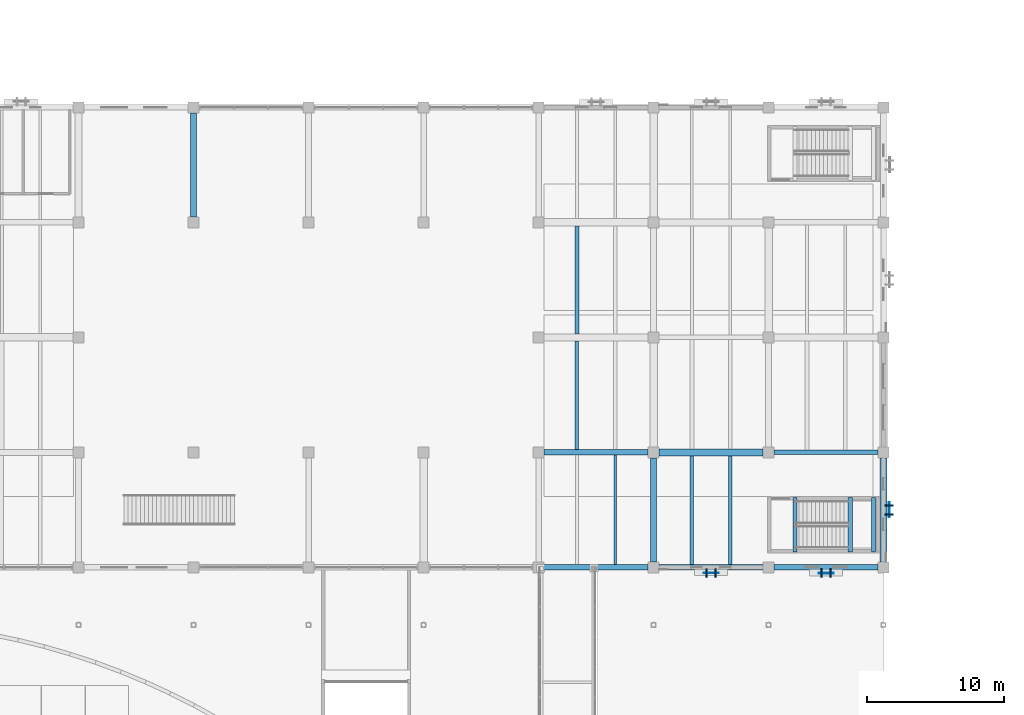
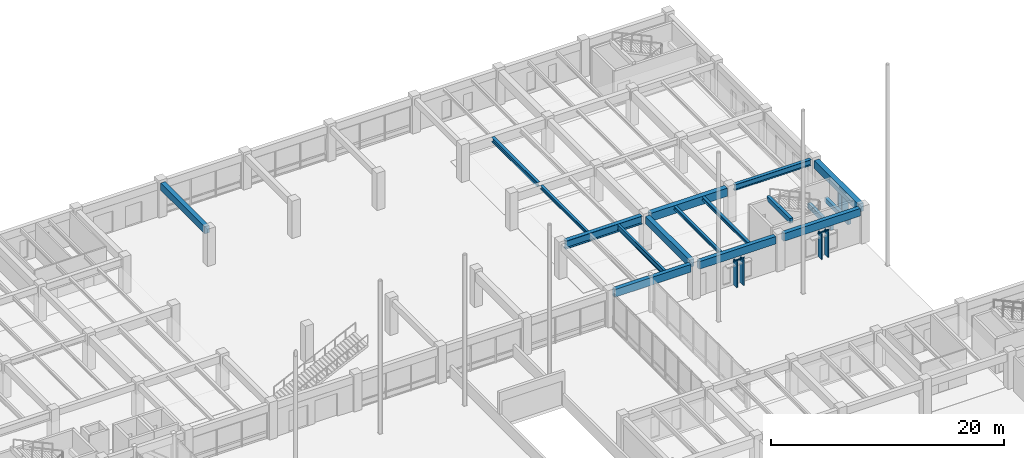
# One storey, part 61 of 135: 17 beams, 9 members, 3 elements without a shape of their own.
"""IFC4 building model written with IfcOpenShell, lengths in metres."""

from ifc_helpers import new_model, si_unit, direction, frame, origin, origin_2d, place, context, subcontext, project, spatial, rectangle, i_section, extrude, material, material_profile, profile_set, type_object, element, aggregate, save


model = new_model("IFC4")

# Units and contexts
model_context = context("Model", 3, precision=1e-05, world=origin(), true_north=direction((0.0, 1.0)))
body_context = subcontext(model_context, "Body", "Model", "MODEL_VIEW")
ifc_project = project(units=[si_unit("LENGTHUNIT", "METRE"), si_unit("AREAUNIT", "SQUARE_METRE"), si_unit("VOLUMEUNIT", "CUBIC_METRE"), si_unit("PLANEANGLEUNIT", "RADIAN"), si_unit("MASSUNIT", "GRAM", prefix="KILO")], contexts=[model_context])

# Site, building, storey
site_placement = place(None, origin())
site = spatial("IfcSite", under=ifc_project, at=site_placement, CompositionType="ELEMENT")
building_placement = place(site_placement, origin())
building = spatial("IfcBuilding", under=site, at=building_placement, Name="Cumbredor Promenade Congress Hotel", CompositionType="ELEMENT")
storey_placement = place(building_placement, origin())
storey = spatial("IfcBuildingStorey", under=building, at=storey_placement, Name="L00", CompositionType="ELEMENT", Elevation=0.0)

# Beams
ifc_material_1 = material(Name="Concrete C40/50", Category="concrete")
ifc_material_profile_1 = material_profile(ifc_material_1, rectangle(XDim=0.449951171875, YDim=0.75, at=origin_2d()), Name="RC BEAM 450x750")
ifc_profile_set_1 = profile_set([ifc_material_profile_1], Name="Concrete C40/50")
beam_type_1 = type_object("IfcBeamType", Name="BM-RC-450x750", PredefinedType="BEAM", material=ifc_profile_set_1)
beam_1_placement = place(storey_placement, frame((126.0, 109.60009765625, 3.264892578125), z_axis=(0.0, 1.0, 0.0), x_axis=(-1.0, 0.0, 0.0)))
element("IfcBeam", 1, at=beam_1_placement, inside=storey, type_object=beam_type_1, Name="L01 Y-Grid Beam 207", PredefinedType="BEAM", context=body_context, shape_type="SweptSolid", body=[
    extrude(rectangle(XDim=0.449951171875, YDim=0.75, at=origin_2d()), origin(), (0.0, 0.0, 1.0), 7.599853515625),
])
beam_2_placement = place(storey_placement, frame((159.60009765625, 84.39990234375, 3.264892578125), z_axis=(0.0, 1.0, 0.0), x_axis=(-1.0, 0.0, 0.0)))
element("IfcBeam", 2, at=beam_2_placement, inside=storey, type_object=beam_type_1, Name="L01 Y-Grid Beam 247", PredefinedType="BEAM", context=body_context, shape_type="SweptSolid", body=[
    extrude(rectangle(XDim=0.449951171875, YDim=0.75, at=origin_2d()), origin(), (0.0, 0.0, 1.0), 7.60009765625),
])
ifc_material_profile_2 = material_profile(ifc_material_1, rectangle(XDim=0.5, YDim=0.85009765625, at=origin_2d()), Name="RC BEAM 500x850")
ifc_profile_set_2 = profile_set([ifc_material_profile_2], Name="Concrete C40/50")
beam_type_2 = type_object("IfcBeamType", Name="BM-RC-500x850", PredefinedType="BEAM", material=ifc_profile_set_2)
for number, where, z_axis, x_axis, name in (
    (3, (160.0, 92.39990234375, 3.215087890625), (1.0, 0.0, 0.0), (0.0, 1.0, 0.0), "L01 X-Grid Beam 248"),
    (4, (176.39990234375, 84.39990234375, 3.215087890625), (0.0, 1.0, 0.0), (-1.0, 0.0, 0.0), "L01 Y-Grid Beam 272"),
):
    element("IfcBeam", number, at=place(storey_placement, frame(where, z_axis=z_axis, x_axis=x_axis)), inside=storey, type_object=beam_type_2, Name=name, PredefinedType="BEAM", context=body_context, shape_type="SweptSolid", body=[
        extrude(rectangle(XDim=0.5, YDim=0.85009765625, at=origin_2d()), origin(), (0.0, 0.0, 1.0), 7.60009765625),
    ])
ifc_material_2 = material(Name="Steel ASTM A992 Grade 50", Category="steel")
ifc_material_profile_3 = material_profile(ifc_material_2, i_section(OverallWidth=0.323974609375, OverallDepth=0.611083984375, WebThickness=0.0126953125, FlangeThickness=0.01904296875, at=origin_2d()), Name="W24X104")
ifc_profile_set_3 = profile_set([ifc_material_profile_3], Name="Steel ASTM A992 Grade 50")
beam_type_3 = type_object("IfcBeamType", Name="BM-W24X104", PredefinedType="BEAM", material=ifc_profile_set_3)
beam_3_placement = place(storey_placement, frame((168.39990234375, 92.39990234375, 3.33447265625), z_axis=(1.0, 0.0, 0.0), x_axis=(0.0, 1.0, 0.0)))
element("IfcBeam", 5, at=beam_3_placement, inside=storey, type_object=beam_type_3, Name="L01 X-Grid Beam 262", PredefinedType="BEAM", context=body_context, shape_type="SweptSolid", body=[
    extrude(i_section(OverallWidth=0.323974609375, OverallDepth=0.611083984375, WebThickness=0.0126953125, FlangeThickness=0.01904296875, at=origin_2d()), origin(), (0.0, 0.0, 1.0), 7.60009765625),
])
ifc_material_profile_4 = material_profile(ifc_material_2, i_section(OverallWidth=0.39990234375, OverallDepth=0.85498046875, WebThickness=0.018310546875, FlangeThickness=0.029296875, at=origin_2d()), Name="W33X201")
ifc_profile_set_4 = profile_set([ifc_material_profile_4], Name="Steel ASTM A992 Grade 50")
beam_type_4 = type_object("IfcBeamType", Name="BM-W33X201", PredefinedType="BEAM", material=ifc_profile_set_4)
beam_4_placement = place(storey_placement, frame((151.60009765625, 92.39990234375, 3.21240234375), z_axis=(1.0, 0.0, 0.0), x_axis=(0.0, 1.0, 0.0)))
element("IfcBeam", 6, at=beam_4_placement, inside=storey, type_object=beam_type_4, Name="L01 X-Grid Beam 235", PredefinedType="BEAM", context=body_context, shape_type="SweptSolid", body=[
    extrude(i_section(OverallWidth=0.39990234375, OverallDepth=0.85498046875, WebThickness=0.018310546875, FlangeThickness=0.029296875, at=origin_2d()), origin(), (0.0, 0.0, 1.0), 7.599853515625),
])

# Curtain wall, member
ifc_material_3 = material(Name="Thermally broken anodized aluminium and low-E glass", Category="aluminium")
curtain_wall_type = type_object("IfcCurtainWallType", Name="Solar Brise-Soleil Screen Assembly CW-07", PredefinedType="NOTDEFINED", material=ifc_material_3)
curtain_wall_1_placement = place(storey_placement, origin())
curtain_wall_1 = element("IfcCurtainWall", 7, at=curtain_wall_1_placement, inside=storey, type_object=curtain_wall_type, Name="L00 Pier Brise-Soleil Screen 0058", PredefinedType="NOTDEFINED")
ifc_material_4 = material(Name="Thermally broken anodized aluminium", Category="aluminium")
ifc_material_profile_5 = material_profile(ifc_material_4, rectangle(XDim=0.06494140625, YDim=0.1298828125, at=origin_2d()), Name="ALU TRANSOM 65x130")
ifc_profile_set_5 = profile_set([ifc_material_profile_5], Name="Thermally broken anodized aluminium")
member_type_1 = type_object("IfcMemberType", Name="Curtain Wall Transom TR-01", PredefinedType="USERDEFINED", material=ifc_profile_set_5)
member_1_placement = place(storey_placement, frame((163.25, 83.590087890625, 2.6650390625), z_axis=(1.0, 0.0, 0.0), x_axis=(0.0, 1.0, 0.0)))
member_1 = element("IfcMember", 8, at=member_1_placement, type_object=member_type_1, Name="L00 Pier Brise-Soleil Header 0060", ObjectType="TRANSOM", PredefinedType="USERDEFINED", context=body_context, shape_type="SweptSolid", body=[
    extrude(rectangle(XDim=0.06494140625, YDim=0.1298828125, at=origin_2d()), origin(), (0.0, 0.0, 1.0), 1.10009765625),
])

curtain_wall_2_placement = place(storey_placement, origin())
curtain_wall_2 = element("IfcCurtainWall", 9, at=curtain_wall_2_placement, inside=storey, type_object=curtain_wall_type, Name="L00 Pier Brise-Soleil Screen 0061", PredefinedType="NOTDEFINED")
member_2_placement = place(storey_placement, frame((171.64990234375, 83.577392578125, 2.6650390625), z_axis=(1.0, 0.0, 0.0), x_axis=(0.0, 1.0, 0.0)))
member_2 = element("IfcMember", 10, at=member_2_placement, type_object=member_type_1, Name="L00 Pier Brise-Soleil Header 0063", ObjectType="TRANSOM", PredefinedType="USERDEFINED", context=body_context, shape_type="SweptSolid", body=[
    extrude(rectangle(XDim=0.06494140625, YDim=0.1298828125, at=origin_2d()), origin(), (0.0, 0.0, 1.0), 1.10009765625),
])

curtain_wall_3_placement = place(storey_placement, origin())
curtain_wall_3 = element("IfcCurtainWall", 11, at=curtain_wall_3_placement, inside=storey, type_object=curtain_wall_type, Name="L00 Pier Brise-Soleil Screen 0085", PredefinedType="NOTDEFINED")
member_3_placement = place(storey_placement, frame((176.81005859375, 87.64990234375, 2.614990234375), z_axis=(0.0, 1.0, 0.0), x_axis=(-1.0, 0.0, 0.0)))
member_3 = element("IfcMember", 12, at=member_3_placement, type_object=member_type_1, Name="L00 Pier Brise-Soleil Header 0087", ObjectType="TRANSOM", PredefinedType="USERDEFINED", context=body_context, shape_type="SweptSolid", body=[
    extrude(rectangle(XDim=0.06494140625, YDim=0.1298828125, at=origin_2d()), origin(), (0.0, 0.0, 1.0), 1.10009765625),
])

# Beams
ifc_material_profile_6 = material_profile(ifc_material_2, i_section(OverallWidth=0.2548828125, OverallDepth=0.35693359375, WebThickness=0.010498046875, FlangeThickness=0.018310546875, at=origin_2d()), Name="W14X68")
ifc_profile_set_6 = profile_set([ifc_material_profile_6], Name="Steel ASTM A992 Grade 50")
beam_type_5 = type_object("IfcBeamType", Name="JST-W14X68", PredefinedType="JOIST", material=ifc_profile_set_6)
for number, where, z_axis, x_axis, name in (
    (13, (154.0, 92.60009765625, 3.46142578125), (0.0, 1.0, 0.0), (-1.0, 0.0, 0.0), "L01 Secondary Floor Joist 0129"),
    (14, (162.39990234375, 84.199951171875, 3.46142578125), (0.0, 1.0, 0.0), (-1.0, 0.0, 0.0), "L01 Secondary Floor Joist 0139"),
    (15, (165.199951171875, 84.199951171875, 3.46142578125), (0.0, 1.0, 0.0), (-1.0, 0.0, 0.0), "L01 Secondary Floor Joist 0140"),
):
    element("IfcBeam", number, at=place(storey_placement, frame(where, z_axis=z_axis, x_axis=x_axis)), inside=storey, type_object=beam_type_5, Name=name, PredefinedType="JOIST", context=body_context, shape_type="SweptSolid", body=[
        extrude(i_section(OverallWidth=0.2548828125, OverallDepth=0.35693359375, WebThickness=0.010498046875, FlangeThickness=0.018310546875, at=origin_2d()), origin(), (0.0, 0.0, 1.0), 7.949951171875),
    ])
ifc_material_profile_7 = material_profile(ifc_material_2, i_section(OverallWidth=0.280029296875, OverallDepth=0.462890625, WebThickness=0.0107421875, FlangeThickness=0.017333984375, at=origin_2d()), Name="W18X76")
ifc_profile_set_7 = profile_set([ifc_material_profile_7], Name="Steel ASTM A992 Grade 50")
beam_type_6 = type_object("IfcBeamType", Name="JST-W18X76", PredefinedType="JOIST", material=ifc_profile_set_7)
beam_5_placement = place(storey_placement, frame((154.0, 101.050048828125, 3.408447265625), z_axis=(0.0, 1.0, 0.0), x_axis=(-1.0, 0.0, 0.0)))
element("IfcBeam", 16, at=beam_5_placement, inside=storey, type_object=beam_type_6, Name="L01 Secondary Floor Joist 0131", PredefinedType="JOIST", context=body_context, shape_type="SweptSolid", body=[
    extrude(i_section(OverallWidth=0.280029296875, OverallDepth=0.462890625, WebThickness=0.0107421875, FlangeThickness=0.017333984375, at=origin_2d()), origin(), (0.0, 0.0, 1.0), 7.875),
])
ifc_material_profile_8 = material_profile(ifc_material_2, i_section(OverallWidth=0.214111328125, OverallDepth=0.549072265625, WebThickness=0.0146484375, FlangeThickness=0.023681640625, at=origin_2d()), Name="W21X93")
ifc_profile_set_8 = profile_set([ifc_material_profile_8], Name="Steel ASTM A992 Grade 50")
beam_type_7 = type_object("IfcBeamType", Name="JST-W21X93", PredefinedType="JOIST", material=ifc_profile_set_8)
beam_6_placement = place(storey_placement, frame((156.800048828125, 84.199951171875, 3.365478515625), z_axis=(0.0, 1.0, 0.0), x_axis=(-1.0, 0.0, 0.0)))
element("IfcBeam", 17, at=beam_6_placement, inside=storey, type_object=beam_type_7, Name="L01 Secondary Floor Joist 0128", PredefinedType="JOIST", context=body_context, shape_type="SweptSolid", body=[
    extrude(i_section(OverallWidth=0.214111328125, OverallDepth=0.549072265625, WebThickness=0.0146484375, FlangeThickness=0.023681640625, at=origin_2d()), origin(), (0.0, 0.0, 1.0), 8.0),
])
ifc_material_profile_9 = material_profile(ifc_material_1, rectangle(XDim=0.300048828125, YDim=0.5, at=origin_2d()), Name="RC LINTEL 300x500")
ifc_profile_set_9 = profile_set([ifc_material_profile_9], Name="Concrete C40/50")
beam_type_8 = type_object("IfcBeamType", Name="LN-RC-300x500", PredefinedType="LINTEL", material=ifc_profile_set_9)
for number, where, z_axis, x_axis, name in (
    (18, (175.669921875, 85.1298828125, 1.510009765625), (0.0, 1.0, 0.0), (-1.0, 0.0, 0.0), "L00 Stair ST-14 Landing Ledger Beam E"),
    (19, (173.969970703125, 85.1298828125, 1.510009765625), (0.0, 1.0, 0.0), (-1.0, 0.0, 0.0), "L00 Stair ST-14 Landing Ledger Beam W"),
    (20, (169.919921875, 85.1298828125, 3.669921875), (0.0, 1.0, 0.0), (-1.0, 0.0, 0.0), "L01 Stair ST-14 Well Header Trimmer Beam"),
):
    element("IfcBeam", number, at=place(storey_placement, frame(where, z_axis=z_axis, x_axis=x_axis)), inside=storey, type_object=beam_type_8, Name=name, PredefinedType="LINTEL", context=body_context, shape_type="SweptSolid", body=[
        extrude(rectangle(XDim=0.300048828125, YDim=0.5, at=origin_2d()), origin(), (0.0, 0.0, 1.0), 3.97021484375),
    ])
ifc_material_profile_10 = material_profile(ifc_material_1, rectangle(XDim=0.39990234375, YDim=0.800048828125, at=origin_2d()), Name="RC SPANDREL 400x800")
ifc_profile_set_10 = profile_set([ifc_material_profile_10], Name="Concrete C40/50")
beam_type_9 = type_object("IfcBeamType", Name="SP-RC-400x800", PredefinedType="SPANDREL", material=ifc_profile_set_10)
beam_7_placement = place(storey_placement, frame((151.60009765625, 84.0, 3.239990234375), z_axis=(1.0, 0.0, 0.0), x_axis=(0.0, 1.0, 0.0)))
element("IfcBeam", 21, at=beam_7_placement, inside=storey, type_object=beam_type_9, Name="L01 X-Grid Beam 233", PredefinedType="SPANDREL", context=body_context, shape_type="SweptSolid", body=[
    extrude(rectangle(XDim=0.39990234375, YDim=0.800048828125, at=origin_2d()), origin(), (0.0, 0.0, 1.0), 7.599853515625),
])
for number, where, z_axis, x_axis, name in (
    (22, (160.0, 84.0, 3.239990234375), (1.0, 0.0, 0.0), (0.0, 1.0, 0.0), "L01 X-Grid Beam 246"),
    (23, (168.39990234375, 84.0, 3.239990234375), (1.0, 0.0, 0.0), (0.0, 1.0, 0.0), "L01 X-Grid Beam 261"),
):
    element("IfcBeam", number, at=place(storey_placement, frame(where, z_axis=z_axis, x_axis=x_axis)), inside=storey, type_object=beam_type_9, Name=name, PredefinedType="SPANDREL", context=body_context, shape_type="SweptSolid", body=[
        extrude(rectangle(XDim=0.39990234375, YDim=0.800048828125, at=origin_2d()), origin(), (0.0, 0.0, 1.0), 7.60009765625),
    ])

# Member
ifc_material_profile_11 = material_profile(ifc_material_4, rectangle(XDim=0.110107421875, YDim=0.6201171875, at=origin_2d()), Name="ARCH FIN 110x620")
ifc_profile_set_11 = profile_set([ifc_material_profile_11], Name="Thermally broken anodized aluminium")
member_type_2 = type_object("IfcMemberType", Name="Vertical Bronze Brise-Soleil Fin BSF-02 110x620", PredefinedType="USERDEFINED", material=ifc_profile_set_11)
member_4_placement = place(storey_placement, frame((163.47998046875, 83.590087890625, 0.02001953125), z_axis=(0.0, 0.0, 1.0), x_axis=(1.0, 0.0, 0.0)))
member_4 = element("IfcMember", 24, at=member_4_placement, type_object=member_type_2, Name="L00 Pier Brise-Soleil Fin 0059", ObjectType="SOLAR FIN", PredefinedType="USERDEFINED", context=body_context, shape_type="SweptSolid", body=[
    extrude(rectangle(XDim=0.110107421875, YDim=0.6201171875, at=origin_2d()), origin(), (0.0, 0.0, 1.0), 2.68505859375),
])

member_5_placement = place(storey_placement, frame((164.1201171875, 83.590087890625, 0.02001953125), z_axis=(0.0, 0.0, 1.0), x_axis=(1.0, 0.0, 0.0)))
member_5 = element("IfcMember", 25, at=member_5_placement, type_object=member_type_2, Name="L00 Pier Brise-Soleil Fin 0060", ObjectType="SOLAR FIN", PredefinedType="USERDEFINED", context=body_context, shape_type="SweptSolid", body=[
    extrude(rectangle(XDim=0.110107421875, YDim=0.6201171875, at=origin_2d()), origin(), (0.0, 0.0, 1.0), 2.68505859375),
])

aggregate(curtain_wall_1, [member_4, member_5, member_1])

member_6_placement = place(storey_placement, frame((171.8798828125, 83.577392578125, 0.02001953125), z_axis=(0.0, 0.0, 1.0), x_axis=(1.0, 0.0, 0.0)))
member_6 = element("IfcMember", 26, at=member_6_placement, type_object=member_type_2, Name="L00 Pier Brise-Soleil Fin 0062", ObjectType="SOLAR FIN", PredefinedType="USERDEFINED", context=body_context, shape_type="SweptSolid", body=[
    extrude(rectangle(XDim=0.110107421875, YDim=0.6201171875, at=origin_2d()), origin(), (0.0, 0.0, 1.0), 2.68505859375),
])

member_7_placement = place(storey_placement, frame((172.52001953125, 83.577392578125, 0.02001953125), z_axis=(0.0, 0.0, 1.0), x_axis=(1.0, 0.0, 0.0)))
member_7 = element("IfcMember", 27, at=member_7_placement, type_object=member_type_2, Name="L00 Pier Brise-Soleil Fin 0063", ObjectType="SOLAR FIN", PredefinedType="USERDEFINED", context=body_context, shape_type="SweptSolid", body=[
    extrude(rectangle(XDim=0.110107421875, YDim=0.6201171875, at=origin_2d()), origin(), (0.0, 0.0, 1.0), 2.68505859375),
])

aggregate(curtain_wall_2, [member_6, member_7, member_2])

member_8_placement = place(storey_placement, frame((176.81005859375, 87.8798828125, 0.02001953125), z_axis=(0.0, 0.0, 1.0), x_axis=(0.0, 1.0, 0.0)))
member_8 = element("IfcMember", 28, at=member_8_placement, type_object=member_type_2, Name="L00 Pier Brise-Soleil Fin 0086", ObjectType="SOLAR FIN", PredefinedType="USERDEFINED", context=body_context, shape_type="SweptSolid", body=[
    extrude(rectangle(XDim=0.110107421875, YDim=0.6201171875, at=origin_2d()), origin(), (0.0, 0.0, 1.0), 2.635009765625),
])

member_9_placement = place(storey_placement, frame((176.81005859375, 88.52001953125, 0.02001953125), z_axis=(0.0, 0.0, 1.0), x_axis=(0.0, 1.0, 0.0)))
member_9 = element("IfcMember", 29, at=member_9_placement, type_object=member_type_2, Name="L00 Pier Brise-Soleil Fin 0087", ObjectType="SOLAR FIN", PredefinedType="USERDEFINED", context=body_context, shape_type="SweptSolid", body=[
    extrude(rectangle(XDim=0.110107421875, YDim=0.6201171875, at=origin_2d()), origin(), (0.0, 0.0, 1.0), 2.635009765625),
])

aggregate(curtain_wall_3, [member_8, member_9, member_3])

save(model, "model.ifc")
